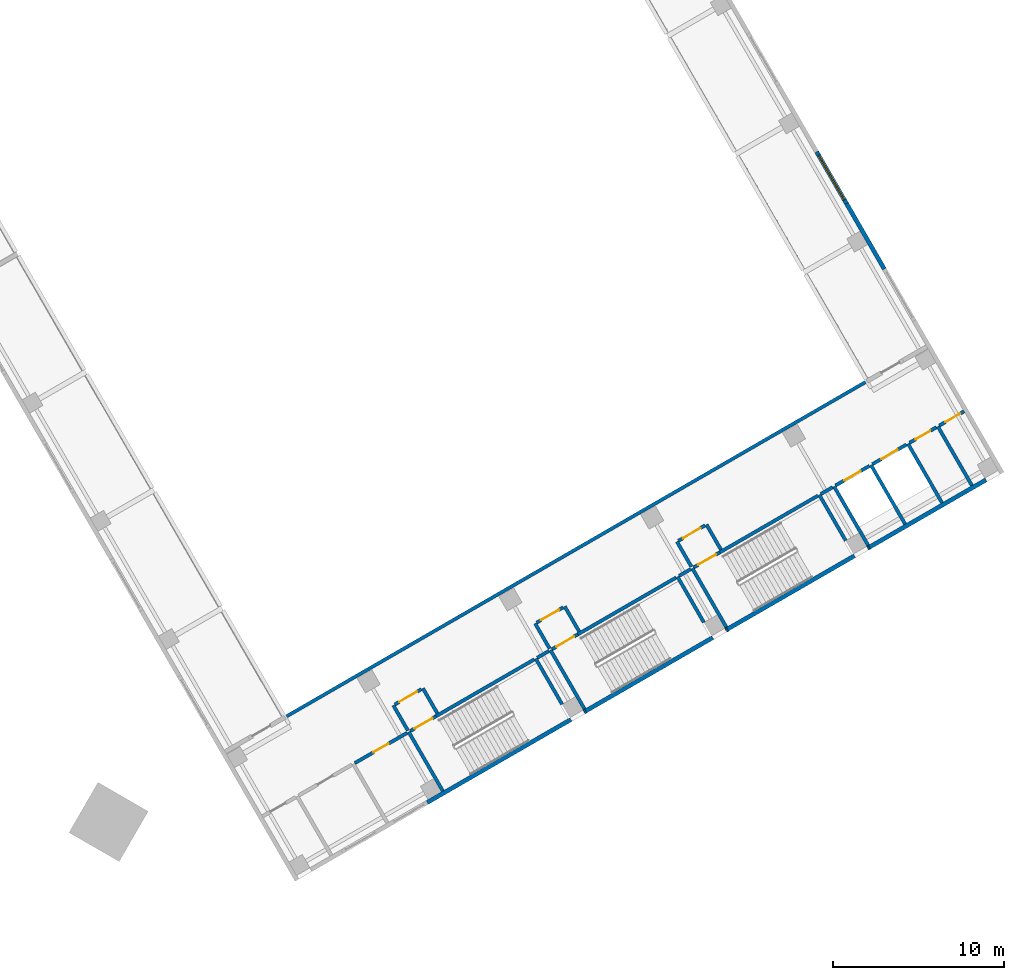
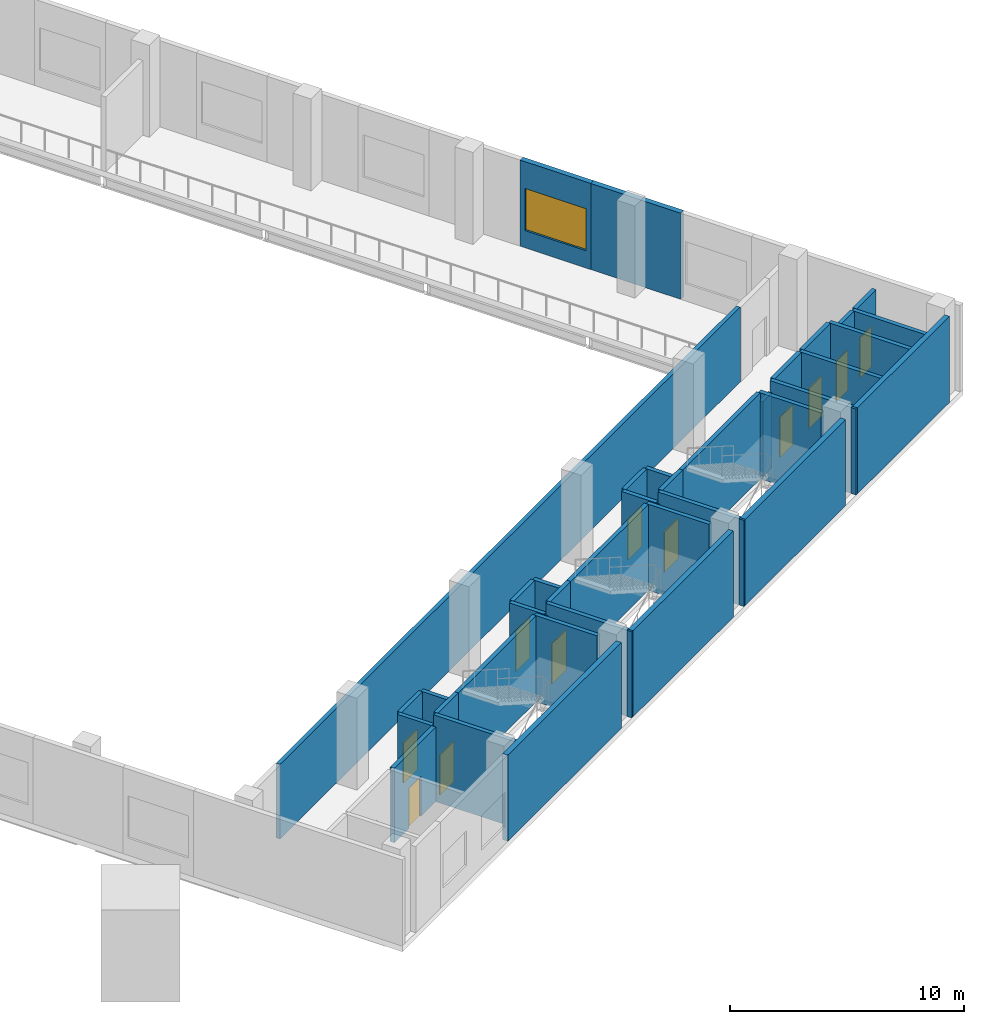
# One storey, part 17 of 28: 43 walls, 11 doors, 1 window, 12 openings.
"""IFC4 building model written with IfcOpenShell, lengths in metres."""

import ifcopenshell
import ifcopenshell.guid

model = None  # the IFC model being written
_history = None  # IfcOwnerHistory: only IFC2X3 demands one
_inside = {}  # id of a spatial element -> (the spatial element, [elements in it])
_under = {}  # id of a project, library or spatial element -> (it, [spatial elements below it])
_declared = {}  # id of a project -> (the project, [libraries it declares])
_typed = {}  # id of a type object -> (the type object, [elements of that type])
_made_of = {}  # id of a material, layer set ... -> (it, [elements and type objects made of it])


def new_model(schema):
    """Start an empty IFC model of exactly this schema.

    Asked for "IFC4X3", IfcOpenShell would pick the latest addendum, in which some entities
    have other attributes; the version numbers below select the first issue.
    IFC2X3 requires an IfcOwnerHistory on every rooted entity: one is made here for all.
    """
    global model, _history
    if schema == "IFC4X3":
        model = ifcopenshell.file(schema_version=(4, 3, 0, 0))
    else:
        model = ifcopenshell.file(schema=schema)
    _inside.clear()
    _under.clear()
    _declared.clear()
    _typed.clear()
    _made_of.clear()
    _history = None
    if model.schema == "IFC2X3":
        org = make("IfcOrganization", Name="unknown")
        user = make(
            "IfcPersonAndOrganization",
            ThePerson=make("IfcPerson", FamilyName="unknown"),
            TheOrganization=org,
        )
        app = make(
            "IfcApplication",
            ApplicationDeveloper=org,
            Version="unknown",
            ApplicationFullName="unknown",
            ApplicationIdentifier="unknown",
        )
        _history = make(
            "IfcOwnerHistory",
            OwningUser=user,
            OwningApplication=app,
            ChangeAction="ADDED",
            CreationDate=0,
        )
    return model


def make(cls, **values):
    """One entity of the class cls with the attributes given. An attribute that is None is left unset."""
    return model.create_entity(
        cls, **{name: value for name, value in values.items() if value is not None}
    )


def rooted(cls, **values):
    """An entity with a GlobalId (a new one), such as an element, a storey or a relation."""
    return make(cls, GlobalId=ifcopenshell.guid.new(), OwnerHistory=_history, **values)


def si_unit(unit_type, name, prefix=None):
    """IfcSIUnit, for example si_unit("LENGTHUNIT", "METRE", prefix="MILLI")."""
    return make("IfcSIUnit", UnitType=unit_type, Prefix=prefix, Name=name)


def assignment(units):
    """IfcUnitAssignment: the units of a project."""
    return None if units is None else make("IfcUnitAssignment", Units=units)


def point(xyz):
    """IfcCartesianPoint."""
    return None if xyz is None else make("IfcCartesianPoint", Coordinates=xyz)


def direction(xyz):
    """IfcDirection."""
    return None if xyz is None else make("IfcDirection", DirectionRatios=xyz)


def frame(location, z_axis=None, x_axis=None):
    """IfcAxis2Placement3D, a coordinate frame: its origin and axes. An axis left out is left unset."""
    return make(
        "IfcAxis2Placement3D",
        Location=point(location),
        Axis=direction(z_axis),
        RefDirection=direction(x_axis),
    )


def frame_2d(location, x_axis=None):
    """IfcAxis2Placement2D, a coordinate frame in the plane: its origin and x axis."""
    return make(
        "IfcAxis2Placement2D", Location=point(location), RefDirection=direction(x_axis)
    )


def origin():
    """The frame at (0, 0, 0) with its axes left unset."""
    return frame((0.0, 0.0, 0.0))


def place(relative_to, where):
    """IfcLocalPlacement: puts the frame where relative to a parent placement (None: the world)."""
    return make(
        "IfcLocalPlacement", PlacementRelTo=relative_to, RelativePlacement=where
    )


def context(
    kind, dimensions, precision=None, world=None, true_north=None, identifier=None
):
    """IfcGeometricRepresentationContext, for example the 3D "Model" context."""
    return make(
        "IfcGeometricRepresentationContext",
        ContextIdentifier=identifier,
        ContextType=kind,
        CoordinateSpaceDimension=dimensions,
        Precision=precision,
        WorldCoordinateSystem=world,
        TrueNorth=true_north,
    )


def subcontext(parent, identifier, kind, view, scale=None):
    """IfcGeometricRepresentationSubContext, for example "Body" below "Model"."""
    return make(
        "IfcGeometricRepresentationSubContext",
        ContextIdentifier=identifier,
        ContextType=kind,
        ParentContext=parent,
        TargetScale=scale,
        TargetView=view,
    )


def project(units=None, contexts=None):
    """IfcProject with its units and contexts."""
    return rooted(
        "IfcProject",
        Name="project",
        RepresentationContexts=contexts,
        UnitsInContext=assignment(units),
    )


def spatial(cls, under=None, at=None, **own):
    """A site, building, storey or space (cls), placed at a placement, below another one or the project."""
    s = rooted(cls, ObjectPlacement=at, **own)
    if under is not None:
        _under.setdefault(under.id(), (under, []))[1].append(s)
    return s


def profile(cls, at=None, kind="AREA", **sizes):
    """A parametric profile (cls). Its sizes go by their IFC names, for example OverallWidth=200.0."""
    return make(cls, ProfileType=kind, Position=at, **sizes)


def rectangle(**sizes):
    """IfcRectangleProfileDef."""
    return profile("IfcRectangleProfileDef", **sizes)


def extrude(swept, where, along, depth):
    """IfcExtrudedAreaSolid: the profile swept, set in the frame where, extruded along a direction by depth."""
    return make(
        "IfcExtrudedAreaSolid",
        SweptArea=swept,
        Position=where,
        ExtrudedDirection=direction(along),
        Depth=depth,
    )


def shape(context_of_items, identifier, shape_type, items):
    """IfcShapeRepresentation: the items that make up one representation, for example the "Body"."""
    return make(
        "IfcShapeRepresentation",
        ContextOfItems=context_of_items,
        RepresentationIdentifier=identifier,
        RepresentationType=shape_type,
        Items=items,
    )


def material(Name=None, Category=None):
    """IfcMaterial."""
    return make("IfcMaterial", Name=Name, Category=Category)


def layer(
    of_material, thickness, ventilated=None, Name=None, Category=None, Priority=None
):
    """IfcMaterialLayer: one layer of a wall or slab, of a material (None: an air gap)."""
    return make(
        "IfcMaterialLayer",
        Material=of_material,
        LayerThickness=thickness,
        IsVentilated=ventilated,
        Name=Name,
        Category=Category,
        Priority=Priority,
    )


def layer_set(layers, Name=None):
    """IfcMaterialLayerSet."""
    return make("IfcMaterialLayerSet", MaterialLayers=layers, LayerSetName=Name)


def made_of(thing, what):
    """Note that an element or type object is made of a material, layer set ...; save() writes the relation."""
    if what is not None:
        _made_of.setdefault(what.id(), (what, []))[1].append(thing)
    return thing


def type_object(cls, material=None, **own):
    """A type object (cls), such as IfcWallType, which elements share."""
    return made_of(rooted(cls, **own), material)


def element(
    cls,
    number,
    at=None,
    inside=None,
    cuts=None,
    type_object=None,
    material=None,
    context=None,
    identifier="Body",
    shape_type=None,
    held_by="IfcProductDefinitionShape",
    body=None,
    shapes=None,
    **own,
):
    """One element of the class cls, such as IfcWall. Its Tag is "e" and its number.

    at: its placement. inside: the storey or other place that contains it. cuts: it is an
    opening in that element (IfcRelVoidsElement). A single representation is given by context,
    identifier, shape_type and body (its items); several are given by shapes. held_by: the class
    of the entity that holds the representations. save() writes the other relations.
    """
    e = rooted(cls, Tag="e%d" % number, ObjectPlacement=at, **own)
    if body is not None:
        shapes = [shape(context, identifier, shape_type, body)]
    if shapes is not None:
        e.Representation = make(held_by, Representations=shapes)
    if inside is not None:
        _inside.setdefault(inside.id(), (inside, []))[1].append(e)
    if cuts is not None:
        rooted(
            "IfcRelVoidsElement", RelatingBuildingElement=cuts, RelatedOpeningElement=e
        )
    if type_object is not None:
        _typed.setdefault(type_object.id(), (type_object, []))[1].append(e)
    return made_of(e, material)


def fill(opening, filler):
    """IfcRelFillsElement: the door or window that sits in an opening."""
    return rooted(
        "IfcRelFillsElement",
        RelatingOpeningElement=opening,
        RelatedBuildingElement=filler,
    )


def aggregate(whole, parts):
    """IfcRelAggregates: a whole, such as a stair, and the parts it consists of."""
    return rooted("IfcRelAggregates", RelatingObject=whole, RelatedObjects=parts)


def save(model, path):
    """Write the relations noted so far, then the file.

    IfcRelAggregates (storeys below a building ...), IfcRelContainedInSpatialStructure (elements
    in a storey), IfcRelDefinesByType, IfcRelAssociatesMaterial and IfcRelDeclares: one each for
    every whole, place, type object, material and project.
    """
    for whole, parts in _under.values():
        aggregate(whole, parts)
    for where, things in _inside.values():
        rooted(
            "IfcRelContainedInSpatialStructure",
            RelatedElements=things,
            RelatingStructure=where,
        )
    for kind, things in _typed.values():
        rooted("IfcRelDefinesByType", RelatedObjects=things, RelatingType=kind)
    for what, things in _made_of.values():
        rooted("IfcRelAssociatesMaterial", RelatedObjects=things, RelatingMaterial=what)
    for by, libraries in _declared.values():
        rooted("IfcRelDeclares", RelatingContext=by, RelatedDefinitions=libraries)
    model.write(path)


model = new_model("IFC4")

# Units and contexts
model_context = context("Model", 3, precision=1e-05, world=origin(), true_north=direction((0.0, 1.0)))
body_context = subcontext(model_context, "Body", "Model", "MODEL_VIEW")
ifc_project = project(units=[si_unit("LENGTHUNIT", "METRE"), si_unit("AREAUNIT", "SQUARE_METRE"), si_unit("VOLUMEUNIT", "CUBIC_METRE"), si_unit("PLANEANGLEUNIT", "RADIAN"), si_unit("MASSUNIT", "GRAM", prefix="KILO")], contexts=[model_context])

# Site, building, storey
site_placement = place(None, origin())
site = spatial("IfcSite", under=ifc_project, at=site_placement, CompositionType="ELEMENT")
building_placement = place(site_placement, origin())
building = spatial("IfcBuilding", under=site, at=building_placement, Name="Mestral Congress Tower", CompositionType="ELEMENT")
storey_placement = place(building_placement, frame((0.0, 0.0, 11.39990234375)))
storey = spatial("IfcBuildingStorey", under=building, at=storey_placement, Name="L02", CompositionType="ELEMENT", Elevation=11.39990234375)

# Wall
ifc_material_1 = material(Name="Precast concrete C40/50 with limestone facing", Category="masonry")
ifc_layer_1 = layer(ifc_material_1, 0.25)
ifc_layer_set_1 = layer_set([ifc_layer_1], Name="Precast concrete C40/50 with limestone facing")
wall_type_1 = type_object("IfcWallType", Name="Podium external wall 250", PredefinedType="SOLIDWALL", material=ifc_layer_set_1)
wall_1_placement = place(storey_placement, frame((74.790283203125, 18.0654296875, 0.0), z_axis=(0.0, 0.0, 1.0), x_axis=(0.499990705068, -0.866030770149, 0.0)))
element("IfcWall", 1, at=wall_1_placement, inside=storey, type_object=wall_type_1, Name="L02 external wall", PredefinedType="SOLIDWALL", context=body_context, shape_type="SweptSolid", body=[
    extrude(rectangle(XDim=4.43798828125, YDim=0.25, at=frame_2d((2.218994140625, 0.0))), origin(), (0.0, 0.0, 1.0), 4.5),
])

# Wall, opening, window
wall_2_placement = place(storey_placement, frame((73.040283203125, 21.0966796875, 0.0), z_axis=(0.0, 0.0, 1.0), x_axis=(0.499980071345, -0.866036909293, 0.0)))
wall_2 = element("IfcWall", 2, at=wall_2_placement, inside=storey, type_object=wall_type_1, Name="L02 external wall", PredefinedType="SOLIDWALL", context=body_context, shape_type="SweptSolid", body=[
    extrude(rectangle(XDim=3.500244140625, YDim=0.25, at=frame_2d((1.75, 0.0))), origin(), (0.0, 0.0, 1.0), 4.5),
])
opening_1_placement = place(wall_2_placement, frame((0.25, 0.0, 0.89990234375)))
opening_1 = element("IfcOpeningElement", 3, at=opening_1_placement, cuts=wall_2, Name="Opening PW-3000x2200", PredefinedType="OPENING", context=body_context, shape_type="SweptSolid", body=[
    extrude(rectangle(XDim=3.0, YDim=2.199951171875, at=frame_2d((1.5, 1.10009765625))), frame((0.0, 0.135009765625, 0.0), z_axis=(0.0, -1.0, 0.0), x_axis=(1.0, 0.0, 0.0)), (0.0, 0.0, 1.0), 0.27001953125),
])
ifc_material_2 = material(Name="Aluminium frame, clear double glazing", Category="aluminium")
window_type = type_object("IfcWindowType", Name="Podium window 3000x2200 sill 900", PartitioningType="SINGLE_PANEL", PredefinedType="WINDOW", material=ifc_material_2)
window_placement = place(opening_1_placement, origin())
window = element("IfcWindow", 4, at=window_placement, inside=storey, type_object=window_type, Name="Window", OverallHeight=2.199951171875, OverallWidth=3.0, PartitioningType="SINGLE_PANEL", PredefinedType="WINDOW", context=body_context, shape_type="SweptSolid", body=[
    extrude(rectangle(XDim=3.0, YDim=2.199951171875, at=frame_2d((1.5, 1.10009765625))), frame((0.0, 0.030029296875, 0.0), z_axis=(0.0, -1.0, 0.0), x_axis=(1.0, 0.0, 0.0)), (0.0, 0.0, 1.0), 0.06005859375),
])
fill(opening_1, window)

# Walls
wall_3_placement = place(storey_placement, frame((58.6298828125, -12.193603515625, 0.0), z_axis=(0.0, 0.0, 1.0), x_axis=(-0.866023797515, -0.500002782129, 0.0)))
element("IfcWall", 5, at=wall_3_placement, inside=storey, type_object=wall_type_1, Name="L02 external wall", PredefinedType="SOLIDWALL", context=body_context, shape_type="SweptSolid", body=[
    extrude(rectangle(XDim=9.72509765625, YDim=0.25, at=frame_2d((4.862548828125, 0.0))), origin(), (0.0, 0.0, 1.0), 4.5),
])
wall_4_placement = place(storey_placement, frame((66.943603515625, -7.393798828125, 0.0), z_axis=(0.0, 0.0, 1.0), x_axis=(-0.866033360935, -0.499986217557, 0.0)))
element("IfcWall", 6, at=wall_4_placement, inside=storey, type_object=wall_type_1, Name="L02 external wall", PredefinedType="SOLIDWALL", context=body_context, shape_type="SweptSolid", body=[
    extrude(rectangle(XDim=8.599853515625, YDim=0.25, at=frame_2d((4.2998046875, 0.0))), origin(), (0.0, 0.0, 1.0), 4.5),
])
wall_5_placement = place(storey_placement, frame((75.257568359375, -2.59375, 0.0), z_axis=(0.0, 0.0, 1.0), x_axis=(-0.866028165386, -0.499995216735, 0.0)))
element("IfcWall", 7, at=wall_5_placement, inside=storey, type_object=wall_type_1, Name="L02 external wall", PredefinedType="SOLIDWALL", context=body_context, shape_type="SweptSolid", body=[
    extrude(rectangle(XDim=8.60009765625, YDim=0.25, at=frame_2d((4.300048828125, 0.0))), origin(), (0.0, 0.0, 1.0), 4.5),
])
wall_6_placement = place(storey_placement, frame((82.965087890625, 1.856201171875, 0.0), z_axis=(0.0, 0.0, 1.0), x_axis=(-0.866026562566, -0.499997992926, 0.0)))
element("IfcWall", 8, at=wall_6_placement, inside=storey, type_object=wall_type_1, Name="L02 external wall", PredefinedType="SOLIDWALL", context=body_context, shape_type="SweptSolid", body=[
    extrude(rectangle(XDim=7.89990234375, YDim=0.25, at=frame_2d((3.949951171875, 0.0))), origin(), (0.0, 0.0, 1.0), 4.5),
])
wall_7_placement = place(storey_placement, frame((59.495849609375, -11.693603515625, 0.0), z_axis=(0.0, 0.0, 1.0), x_axis=(-0.865982457891, -0.500074377092, 0.0)))
element("IfcWall", 9, at=wall_7_placement, inside=storey, type_object=wall_type_1, Name="L02 external wall", PredefinedType="SOLIDWALL", context=body_context, shape_type="SweptSolid", body=[
    extrude(rectangle(XDim=0.10009765625, YDim=0.25, at=frame_2d((0.050048828125, 0.0))), origin(), (0.0, 0.0, 1.0), 4.5),
])
wall_8_placement = place(storey_placement, frame((67.8095703125, -6.893798828125, 0.0), z_axis=(0.0, 0.0, 1.0), x_axis=(-0.867038199201, -0.4982416694, 0.0)))
element("IfcWall", 10, at=wall_8_placement, inside=storey, type_object=wall_type_1, Name="L02 external wall", PredefinedType="SOLIDWALL", context=body_context, shape_type="SweptSolid", body=[
    extrude(rectangle(XDim=0.099853515625, YDim=0.25, at=frame_2d((0.0498046875, 0.0))), origin(), (0.0, 0.0, 1.0), 4.5),
])
wall_9_placement = place(storey_placement, frame((76.12353515625, -2.09375, 0.0), z_axis=(0.0, 0.0, 1.0), x_axis=(-0.865982457891, -0.500074377092, 0.0)))
element("IfcWall", 11, at=wall_9_placement, inside=storey, type_object=wall_type_1, Name="L02 external wall", PredefinedType="SOLIDWALL", context=body_context, shape_type="SweptSolid", body=[
    extrude(rectangle(XDim=0.10009765625, YDim=0.25, at=frame_2d((0.050048828125, 0.0))), origin(), (0.0, 0.0, 1.0), 4.5),
])
ifc_material_3 = material(Name="Masonry block wall", Category="masonry")
ifc_layer_2 = layer(ifc_material_3, 0.199951171875)
ifc_layer_set_2 = layer_set([ifc_layer_2], Name="Masonry block wall")
wall_type_2 = type_object("IfcWallType", Name="Podium stair enclosure wall 200 EI 120 load-bearing", PredefinedType="SOLIDWALL", material=ifc_layer_set_2)
wall_10_placement = place(storey_placement, frame((51.119384765625, -16.385498046875, 0.0), z_axis=(0.0, 0.0, 1.0), x_axis=(-0.49999894854, 0.866026010844, 0.0)))
element("IfcWall", 12, at=wall_10_placement, inside=storey, type_object=wall_type_2, Name="L02 partition", PredefinedType="SOLIDWALL", context=body_context, shape_type="SweptSolid", body=[
    extrude(rectangle(XDim=4.0, YDim=0.199951171875, at=frame_2d((2.0, 0.0))), origin(), (0.0, 0.0, 1.0), 4.5),
])
wall_11_placement = place(storey_placement, frame((58.1171875, -11.30615234375, 0.0), z_axis=(0.0, 0.0, 1.0), x_axis=(-0.499933790963, 0.866063626216, 0.0)))
element("IfcWall", 13, at=wall_11_placement, inside=storey, type_object=wall_type_2, Name="L02 partition", PredefinedType="SOLIDWALL", context=body_context, shape_type="SweptSolid", body=[
    extrude(rectangle(XDim=3.10009765625, YDim=0.199951171875, at=frame_2d((1.550048828125, 0.0))), origin(), (0.0, 0.0, 1.0), 4.5),
])
wall_12_placement = place(storey_placement, frame((59.433349609375, -11.58544921875, 0.0), z_axis=(0.0, 0.0, 1.0), x_axis=(-0.49999894854, 0.866026010844, 0.0)))
element("IfcWall", 14, at=wall_12_placement, inside=storey, type_object=wall_type_2, Name="L02 partition", PredefinedType="SOLIDWALL", context=body_context, shape_type="SweptSolid", body=[
    extrude(rectangle(XDim=4.0, YDim=0.199951171875, at=frame_2d((2.0, 0.0))), origin(), (0.0, 0.0, 1.0), 4.5),
])
wall_13_placement = place(storey_placement, frame((66.43115234375, -6.506103515625, 0.0), z_axis=(0.0, 0.0, 1.0), x_axis=(-0.49999285859, 0.86602952684, 0.0)))
element("IfcWall", 15, at=wall_13_placement, inside=storey, type_object=wall_type_2, Name="L02 partition", PredefinedType="SOLIDWALL", context=body_context, shape_type="SweptSolid", body=[
    extrude(rectangle(XDim=3.10009765625, YDim=0.199951171875, at=frame_2d((1.550048828125, 0.0))), origin(), (0.0, 0.0, 1.0), 4.5),
])
wall_14_placement = place(storey_placement, frame((67.7470703125, -6.785400390625, 0.0), z_axis=(0.0, 0.0, 1.0), x_axis=(-0.49999894854, 0.866026010844, 0.0)))
element("IfcWall", 16, at=wall_14_placement, inside=storey, type_object=wall_type_2, Name="L02 partition", PredefinedType="SOLIDWALL", context=body_context, shape_type="SweptSolid", body=[
    extrude(rectangle(XDim=4.0, YDim=0.199951171875, at=frame_2d((2.0, 0.0))), origin(), (0.0, 0.0, 1.0), 4.5),
])
wall_15_placement = place(storey_placement, frame((74.7451171875, -1.7060546875, 0.0), z_axis=(0.0, 0.0, 1.0), x_axis=(-0.500026960575, 0.86600983753, 0.0)))
element("IfcWall", 17, at=wall_15_placement, inside=storey, type_object=wall_type_2, Name="L02 partition", PredefinedType="SOLIDWALL", context=body_context, shape_type="SweptSolid", body=[
    extrude(rectangle(XDim=3.099853515625, YDim=0.199951171875, at=frame_2d((1.5498046875, 0.0))), origin(), (0.0, 0.0, 1.0), 4.5),
])

# Wall, opening, door
wall_16_placement = place(storey_placement, frame((50.7216796875, -11.996337890625, 0.0), z_axis=(0.0, 0.0, 1.0), x_axis=(-0.866036909293, -0.499980071345, 0.0)))
wall_16 = element("IfcWall", 18, at=wall_16_placement, inside=storey, type_object=wall_type_2, Name="L02 partition", PredefinedType="SOLIDWALL", context=body_context, shape_type="SweptSolid", body=[
    extrude(rectangle(XDim=1.75, YDim=0.199951171875, at=frame_2d((0.875, 0.0))), origin(), (0.0, 0.0, 1.0), 4.5),
])
opening_2_placement = place(wall_16_placement, frame((0.25, 0.0, 0.0)))
opening_2 = element("IfcOpeningElement", 19, at=opening_2_placement, cuts=wall_16, Name="Opening P02-001", PredefinedType="OPENING", context=body_context, shape_type="SweptSolid", body=[
    extrude(rectangle(XDim=1.199951171875, YDim=2.10009765625, at=frame_2d((0.60009765625, 1.050048828125))), frame((0.0, 0.10986328125, 0.0), z_axis=(0.0, -1.0, 0.0), x_axis=(1.0, 0.0, 0.0)), (0.0, 0.0, 1.0), 0.219970703125),
])
ifc_material_4 = material(Name="Fire-rated steel door set", Category="steel")
door_type_1 = type_object("IfcDoorType", Name="Podium stair door 1200x2100 EI2 30-C5", OperationType="SINGLE_SWING_LEFT", PredefinedType="DOOR", material=ifc_material_4)
door_1_placement = place(opening_2_placement, origin())
door_1 = element("IfcDoor", 20, at=door_1_placement, inside=storey, type_object=door_type_1, Name="Door P02-001", OperationType="SINGLE_SWING_LEFT", OverallHeight=2.10009765625, OverallWidth=1.199951171875, PredefinedType="DOOR", context=body_context, shape_type="SweptSolid", body=[
    extrude(rectangle(XDim=1.199951171875, YDim=2.10009765625, at=frame_2d((0.60009765625, 1.050048828125))), frame((0.0, 0.02490234375, 0.0), z_axis=(0.0, -1.0, 0.0), x_axis=(1.0, 0.0, 0.0)), (0.0, 0.0, 1.0), 0.050048828125),
])
fill(opening_2, door_1)

# Wall
wall_17_placement = place(storey_placement, frame((50.7216796875, -11.996337890625, 0.0), z_axis=(0.0, 0.0, 1.0), x_axis=(0.866027239912, 0.49999681972, 0.0)))
element("IfcWall", 21, at=wall_17_placement, inside=storey, type_object=wall_type_2, Name="L02 partition", PredefinedType="SOLIDWALL", context=body_context, shape_type="SweptSolid", body=[
    extrude(rectangle(XDim=6.64990234375, YDim=0.199951171875, at=frame_2d((3.324951171875, 0.0))), origin(), (0.0, 0.0, 1.0), 4.5),
])

# Wall, opening, door
wall_18_placement = place(storey_placement, frame((59.035400390625, -7.1962890625, 0.0), z_axis=(0.0, 0.0, 1.0), x_axis=(-0.866002029911, -0.500040482552, 0.0)))
wall_18 = element("IfcWall", 22, at=wall_18_placement, inside=storey, type_object=wall_type_2, Name="L02 partition", PredefinedType="SOLIDWALL", context=body_context, shape_type="SweptSolid", body=[
    extrude(rectangle(XDim=1.749755859375, YDim=0.199951171875, at=frame_2d((0.875, 0.0))), origin(), (0.0, 0.0, 1.0), 4.5),
])
opening_3_placement = place(wall_18_placement, frame((0.25, 0.0, 0.0)))
opening_3 = element("IfcOpeningElement", 23, at=opening_3_placement, cuts=wall_18, Name="Opening P02-002", PredefinedType="OPENING", context=body_context, shape_type="SweptSolid", body=[
    extrude(rectangle(XDim=1.199951171875, YDim=2.10009765625, at=frame_2d((0.60009765625, 1.050048828125))), frame((0.0, 0.10986328125, 0.0), z_axis=(0.0, -1.0, 0.0), x_axis=(1.0, 0.0, 0.0)), (0.0, 0.0, 1.0), 0.219970703125),
])
door_2_placement = place(opening_3_placement, origin())
door_2 = element("IfcDoor", 24, at=door_2_placement, inside=storey, type_object=door_type_1, Name="Door P02-002", OperationType="SINGLE_SWING_LEFT", OverallHeight=2.10009765625, OverallWidth=1.199951171875, PredefinedType="DOOR", context=body_context, shape_type="SweptSolid", body=[
    extrude(rectangle(XDim=1.199951171875, YDim=2.10009765625, at=frame_2d((0.60009765625, 1.050048828125))), frame((0.0, 0.02490234375, 0.0), z_axis=(0.0, -1.0, 0.0), x_axis=(1.0, 0.0, 0.0)), (0.0, 0.0, 1.0), 0.050048828125),
])
fill(opening_3, door_2)

# Wall
wall_19_placement = place(storey_placement, frame((59.035400390625, -7.1962890625, 0.0), z_axis=(0.0, 0.0, 1.0), x_axis=(0.866027239912, 0.49999681972, 0.0)))
element("IfcWall", 25, at=wall_19_placement, inside=storey, type_object=wall_type_2, Name="L02 partition", PredefinedType="SOLIDWALL", context=body_context, shape_type="SweptSolid", body=[
    extrude(rectangle(XDim=6.64990234375, YDim=0.199951171875, at=frame_2d((3.324951171875, 0.0))), origin(), (0.0, 0.0, 1.0), 4.5),
])

# Wall, opening, door
wall_20_placement = place(storey_placement, frame((67.349365234375, -2.396484375, 0.0), z_axis=(0.0, 0.0, 1.0), x_axis=(-0.866036909293, -0.499980071345, 0.0)))
wall_20 = element("IfcWall", 26, at=wall_20_placement, inside=storey, type_object=wall_type_2, Name="L02 partition", PredefinedType="SOLIDWALL", context=body_context, shape_type="SweptSolid", body=[
    extrude(rectangle(XDim=1.75, YDim=0.199951171875, at=frame_2d((0.875, 0.0))), origin(), (0.0, 0.0, 1.0), 4.5),
])
opening_4_placement = place(wall_20_placement, frame((0.25, 0.0, 0.0)))
opening_4 = element("IfcOpeningElement", 27, at=opening_4_placement, cuts=wall_20, Name="Opening P02-003", PredefinedType="OPENING", context=body_context, shape_type="SweptSolid", body=[
    extrude(rectangle(XDim=1.199951171875, YDim=2.10009765625, at=frame_2d((0.60009765625, 1.050048828125))), frame((0.0, 0.10986328125, 0.0), z_axis=(0.0, -1.0, 0.0), x_axis=(1.0, 0.0, 0.0)), (0.0, 0.0, 1.0), 0.219970703125),
])
door_3_placement = place(opening_4_placement, origin())
door_3 = element("IfcDoor", 28, at=door_3_placement, inside=storey, type_object=door_type_1, Name="Door P02-003", OperationType="SINGLE_SWING_LEFT", OverallHeight=2.10009765625, OverallWidth=1.199951171875, PredefinedType="DOOR", context=body_context, shape_type="SweptSolid", body=[
    extrude(rectangle(XDim=1.199951171875, YDim=2.10009765625, at=frame_2d((0.60009765625, 1.050048828125))), frame((0.0, 0.02490234375, 0.0), z_axis=(0.0, -1.0, 0.0), x_axis=(1.0, 0.0, 0.0)), (0.0, 0.0, 1.0), 0.050048828125),
])
fill(opening_4, door_3)

# Walls
wall_21_placement = place(storey_placement, frame((67.349365234375, -2.396484375, 0.0), z_axis=(0.0, 0.0, 1.0), x_axis=(0.86601134256, 0.500024353964, 0.0)))
element("IfcWall", 29, at=wall_21_placement, inside=storey, type_object=wall_type_2, Name="L02 partition", PredefinedType="SOLIDWALL", context=body_context, shape_type="SweptSolid", body=[
    extrude(rectangle(XDim=6.650146484375, YDim=0.199951171875, at=frame_2d((3.3251953125, 0.0))), origin(), (0.0, 0.0, 1.0), 4.5),
])
for number, where, z_axis, x_axis, name in (
    (30, (76.06103515625, -1.985595703125, 0.0), (0.0, 0.0, 1.0), (-0.49999894854, 0.866026010844, 0.0), "L02 partition"),
    (31, (78.22607421875, -0.735595703125, 0.0), (0.0, 0.0, 1.0), (-0.49999894854, 0.866026010844, 0.0), "L02 partition"),
    (32, (80.39111328125, 0.514404296875, 0.0), (0.0, 0.0, 1.0), (-0.49999894854, 0.866026010844, 0.0), "L02 partition"),
):
    element("IfcWall", number, at=place(storey_placement, frame(where, z_axis=z_axis, x_axis=x_axis)), inside=storey, type_object=wall_type_2, Name=name, PredefinedType="SOLIDWALL", context=body_context, shape_type="SweptSolid", body=[
        extrude(rectangle(XDim=4.0, YDim=0.199951171875, at=frame_2d((2.0, 0.0))), origin(), (0.0, 0.0, 1.0), 4.5),
    ])

# Wall, opening, door
wall_22_placement = place(storey_placement, frame((76.139404296875, 2.6787109375, 0.0), z_axis=(0.0, 0.0, 1.0), x_axis=(-0.865980515519, -0.500077740698, 0.0)))
wall_22 = element("IfcWall", 33, at=wall_22_placement, inside=storey, type_object=wall_type_2, Name="L02 partition", PredefinedType="SOLIDWALL", context=body_context, shape_type="SweptSolid", body=[
    extrude(rectangle(XDim=2.300048828125, YDim=0.199951171875, at=frame_2d((1.14990234375, 0.0))), origin(), (0.0, 0.0, 1.0), 4.5),
])
opening_5_placement = place(wall_22_placement, frame((0.60009765625, 0.0, 0.0)))
opening_5 = element("IfcOpeningElement", 34, at=opening_5_placement, cuts=wall_22, Name="Opening P02-007", PredefinedType="OPENING", context=body_context, shape_type="SweptSolid", body=[
    extrude(rectangle(XDim=1.10009765625, YDim=2.10009765625, at=frame_2d((0.550048828125, 1.050048828125))), frame((0.0, 0.10986328125, 0.0), z_axis=(0.0, -1.0, 0.0), x_axis=(1.0, 0.0, 0.0)), (0.0, 0.0, 1.0), 0.219970703125),
])
door_type_2 = type_object("IfcDoorType", Name="Podium lift landing door 1100x2100 EI2 60-C5", OperationType="DOUBLE_DOOR_SLIDING", PredefinedType="DOOR", material=ifc_material_4)
door_4_placement = place(opening_5_placement, origin())
door_4 = element("IfcDoor", 35, at=door_4_placement, inside=storey, type_object=door_type_2, Name="Door P02-007", OperationType="DOUBLE_DOOR_SLIDING", OverallHeight=2.10009765625, OverallWidth=1.10009765625, PredefinedType="DOOR", context=body_context, shape_type="SweptSolid", body=[
    extrude(rectangle(XDim=1.10009765625, YDim=2.10009765625, at=frame_2d((0.550048828125, 1.050048828125))), frame((0.0, 0.02490234375, 0.0), z_axis=(0.0, -1.0, 0.0), x_axis=(1.0, 0.0, 0.0)), (0.0, 0.0, 1.0), 0.050048828125),
])
fill(opening_5, door_4)

wall_23_placement = place(storey_placement, frame((78.304443359375, 3.9287109375, 0.0), z_axis=(0.0, 0.0, 1.0), x_axis=(-0.865980515519, -0.500077740698, 0.0)))
wall_23 = element("IfcWall", 36, at=wall_23_placement, inside=storey, type_object=wall_type_2, Name="L02 partition", PredefinedType="SOLIDWALL", context=body_context, shape_type="SweptSolid", body=[
    extrude(rectangle(XDim=2.300048828125, YDim=0.199951171875, at=frame_2d((1.14990234375, 0.0))), origin(), (0.0, 0.0, 1.0), 4.5),
])
opening_6_placement = place(wall_23_placement, frame((0.60009765625, 0.0, 0.0)))
opening_6 = element("IfcOpeningElement", 37, at=opening_6_placement, cuts=wall_23, Name="Opening P02-008", PredefinedType="OPENING", context=body_context, shape_type="SweptSolid", body=[
    extrude(rectangle(XDim=1.10009765625, YDim=2.10009765625, at=frame_2d((0.550048828125, 1.050048828125))), frame((0.0, 0.10986328125, 0.0), z_axis=(0.0, -1.0, 0.0), x_axis=(1.0, 0.0, 0.0)), (0.0, 0.0, 1.0), 0.219970703125),
])
door_5_placement = place(opening_6_placement, origin())
door_5 = element("IfcDoor", 38, at=door_5_placement, inside=storey, type_object=door_type_2, Name="Door P02-008", OperationType="DOUBLE_DOOR_SLIDING", OverallHeight=2.10009765625, OverallWidth=1.10009765625, PredefinedType="DOOR", context=body_context, shape_type="SweptSolid", body=[
    extrude(rectangle(XDim=1.10009765625, YDim=2.10009765625, at=frame_2d((0.550048828125, 1.050048828125))), frame((0.0, 0.02490234375, 0.0), z_axis=(0.0, -1.0, 0.0), x_axis=(1.0, 0.0, 0.0)), (0.0, 0.0, 1.0), 0.050048828125),
])
fill(opening_6, door_5)

# Walls
ifc_material_5 = material(Name="Fire-rated board partition")
ifc_layer_3 = layer(ifc_material_5, 0.199951171875)
ifc_layer_set_3 = layer_set([ifc_layer_3], Name="Fire-rated board partition")
wall_type_3 = type_object("IfcWallType", Name="Podium vestibule wall 200 EI 120", PredefinedType="PARTITIONING", material=ifc_layer_set_3)
for number, where, z_axis, x_axis, name in (
    (39, (49.069580078125, -12.834716796875, 0.0), (0.0, 0.0, 1.0), (-0.500062241894, 0.865989465428, 0.0), "L02 partition"),
    (40, (50.801513671875, -11.834716796875, 0.0), (0.0, 0.0, 1.0), (-0.500062241894, 0.865989465428, 0.0), "L02 partition"),
):
    element("IfcWall", number, at=place(storey_placement, frame(where, z_axis=z_axis, x_axis=x_axis)), inside=storey, type_object=wall_type_3, Name=name, PredefinedType="PARTITIONING", context=body_context, shape_type="SweptSolid", body=[
        extrude(rectangle(XDim=1.699951171875, YDim=0.199951171875, at=frame_2d((0.85009765625, 0.0))), origin(), (0.0, 0.0, 1.0), 3.900146484375),
    ])
for number, where, z_axis, x_axis, name in (
    (41, (57.38330078125, -8.034912109375, 0.0), (0.0, 0.0, 1.0), (-0.500000056704, 0.866025371046, 0.0), "L02 partition"),
    (42, (59.115478515625, -7.034912109375, 0.0), (0.0, 0.0, 1.0), (-0.500000056704, 0.866025371046, 0.0), "L02 partition"),
):
    element("IfcWall", number, at=place(storey_placement, frame(where, z_axis=z_axis, x_axis=x_axis)), inside=storey, type_object=wall_type_3, Name=name, PredefinedType="PARTITIONING", context=body_context, shape_type="SweptSolid", body=[
        extrude(rectangle(XDim=1.7001953125, YDim=0.199951171875, at=frame_2d((0.85009765625, 0.0))), origin(), (0.0, 0.0, 1.0), 3.900146484375),
    ])
wall_24_placement = place(storey_placement, frame((65.697021484375, -3.23486328125, 0.0), z_axis=(0.0, 0.0, 1.0), x_axis=(-0.499892348375, 0.866087547558, 0.0)))
element("IfcWall", 43, at=wall_24_placement, inside=storey, type_object=wall_type_3, Name="L02 partition", PredefinedType="PARTITIONING", context=body_context, shape_type="SweptSolid", body=[
    extrude(rectangle(XDim=1.699951171875, YDim=0.199951171875, at=frame_2d((0.85009765625, 0.0))), origin(), (0.0, 0.0, 1.0), 3.900146484375),
])
wall_25_placement = place(storey_placement, frame((67.42919921875, -2.23486328125, 0.0), z_axis=(0.0, 0.0, 1.0), x_axis=(-0.500000056704, 0.866025371046, 0.0)))
element("IfcWall", 44, at=wall_25_placement, inside=storey, type_object=wall_type_3, Name="L02 partition", PredefinedType="PARTITIONING", context=body_context, shape_type="SweptSolid", body=[
    extrude(rectangle(XDim=1.7001953125, YDim=0.199951171875, at=frame_2d((0.85009765625, 0.0))), origin(), (0.0, 0.0, 1.0), 3.900146484375),
])

# Wall, opening, door
wall_26_placement = place(storey_placement, frame((49.864990234375, -10.41259765625, 0.0), z_axis=(0.0, 0.0, 1.0), x_axis=(-0.866047807691, -0.499961193289, 0.0)))
wall_26 = element("IfcWall", 45, at=wall_26_placement, inside=storey, type_object=wall_type_3, Name="L02 partition", PredefinedType="PARTITIONING", context=body_context, shape_type="SweptSolid", body=[
    extrude(rectangle(XDim=1.800048828125, YDim=0.199951171875, at=frame_2d((0.89990234375, 0.0))), origin(), (0.0, 0.0, 1.0), 3.900146484375),
])
opening_7_placement = place(wall_26_placement, frame((0.300048828125, 0.0, 0.0)))
opening_7 = element("IfcOpeningElement", 46, at=opening_7_placement, cuts=wall_26, Name="Opening P02-011", PredefinedType="OPENING", context=body_context, shape_type="SweptSolid", body=[
    extrude(rectangle(XDim=1.199951171875, YDim=2.10009765625, at=frame_2d((0.60009765625, 1.050048828125))), frame((0.0, 0.10986328125, 0.0), z_axis=(0.0, -1.0, 0.0), x_axis=(1.0, 0.0, 0.0)), (0.0, 0.0, 1.0), 0.219970703125),
])
door_type_3 = type_object("IfcDoorType", Name="Podium vestibule door 1200x2100 EI2 30-C5", OperationType="SINGLE_SWING_LEFT", PredefinedType="DOOR", material=ifc_material_4)
door_6_placement = place(opening_7_placement, origin())
door_6 = element("IfcDoor", 47, at=door_6_placement, inside=storey, type_object=door_type_3, Name="Door P02-011", OperationType="SINGLE_SWING_LEFT", OverallHeight=2.10009765625, OverallWidth=1.199951171875, PredefinedType="DOOR", context=body_context, shape_type="SweptSolid", body=[
    extrude(rectangle(XDim=1.199951171875, YDim=2.10009765625, at=frame_2d((0.60009765625, 1.050048828125))), frame((0.0, 0.02490234375, 0.0), z_axis=(0.0, -1.0, 0.0), x_axis=(1.0, 0.0, 0.0)), (0.0, 0.0, 1.0), 0.050048828125),
])
fill(opening_7, door_6)

wall_27_placement = place(storey_placement, frame((58.1787109375, -5.612548828125, 0.0), z_axis=(0.0, 0.0, 1.0), x_axis=(-0.866047807691, -0.499961193289, 0.0)))
wall_27 = element("IfcWall", 48, at=wall_27_placement, inside=storey, type_object=wall_type_3, Name="L02 partition", PredefinedType="PARTITIONING", context=body_context, shape_type="SweptSolid", body=[
    extrude(rectangle(XDim=1.800048828125, YDim=0.199951171875, at=frame_2d((0.89990234375, 0.0))), origin(), (0.0, 0.0, 1.0), 3.900146484375),
])
opening_8_placement = place(wall_27_placement, frame((0.300048828125, 0.0, 0.0)))
opening_8 = element("IfcOpeningElement", 49, at=opening_8_placement, cuts=wall_27, Name="Opening P02-012", PredefinedType="OPENING", context=body_context, shape_type="SweptSolid", body=[
    extrude(rectangle(XDim=1.199951171875, YDim=2.10009765625, at=frame_2d((0.60009765625, 1.050048828125))), frame((0.0, 0.10986328125, 0.0), z_axis=(0.0, -1.0, 0.0), x_axis=(1.0, 0.0, 0.0)), (0.0, 0.0, 1.0), 0.219970703125),
])
door_7_placement = place(opening_8_placement, origin())
door_7 = element("IfcDoor", 50, at=door_7_placement, inside=storey, type_object=door_type_3, Name="Door P02-012", OperationType="SINGLE_SWING_LEFT", OverallHeight=2.10009765625, OverallWidth=1.199951171875, PredefinedType="DOOR", context=body_context, shape_type="SweptSolid", body=[
    extrude(rectangle(XDim=1.199951171875, YDim=2.10009765625, at=frame_2d((0.60009765625, 1.050048828125))), frame((0.0, 0.02490234375, 0.0), z_axis=(0.0, -1.0, 0.0), x_axis=(1.0, 0.0, 0.0)), (0.0, 0.0, 1.0), 0.050048828125),
])
fill(opening_8, door_7)

wall_28_placement = place(storey_placement, frame((66.49267578125, -0.8125, 0.0), z_axis=(0.0, 0.0, 1.0), x_axis=(-0.866081705922, -0.499902469156, 0.0)))
wall_28 = element("IfcWall", 51, at=wall_28_placement, inside=storey, type_object=wall_type_3, Name="L02 partition", PredefinedType="PARTITIONING", context=body_context, shape_type="SweptSolid", body=[
    extrude(rectangle(XDim=1.800048828125, YDim=0.199951171875, at=frame_2d((0.89990234375, 0.0))), origin(), (0.0, 0.0, 1.0), 3.900146484375),
])
opening_9_placement = place(wall_28_placement, frame((0.300048828125, 0.0, 0.0)))
opening_9 = element("IfcOpeningElement", 52, at=opening_9_placement, cuts=wall_28, Name="Opening P02-013", PredefinedType="OPENING", context=body_context, shape_type="SweptSolid", body=[
    extrude(rectangle(XDim=1.199951171875, YDim=2.10009765625, at=frame_2d((0.60009765625, 1.050048828125))), frame((0.0, 0.10986328125, 0.0), z_axis=(0.0, -1.0, 0.0), x_axis=(1.0, 0.0, 0.0)), (0.0, 0.0, 1.0), 0.219970703125),
])
door_8_placement = place(opening_9_placement, origin())
door_8 = element("IfcDoor", 53, at=door_8_placement, inside=storey, type_object=door_type_3, Name="Door P02-013", OperationType="SINGLE_SWING_LEFT", OverallHeight=2.10009765625, OverallWidth=1.199951171875, PredefinedType="DOOR", context=body_context, shape_type="SweptSolid", body=[
    extrude(rectangle(XDim=1.199951171875, YDim=2.10009765625, at=frame_2d((0.60009765625, 1.050048828125))), frame((0.0, 0.02490234375, 0.0), z_axis=(0.0, -1.0, 0.0), x_axis=(1.0, 0.0, 0.0)), (0.0, 0.0, 1.0), 0.050048828125),
])
fill(opening_9, door_8)

# Wall
wall_29_placement = place(storey_placement, frame((82.144775390625, 1.527099609375, 0.0), z_axis=(0.0, 0.0, 1.0), x_axis=(-0.49999894854, 0.866026010844, 0.0)))
element("IfcWall", 54, at=wall_29_placement, inside=storey, type_object=wall_type_3, Name="L02 partition", PredefinedType="PARTITIONING", context=body_context, shape_type="SweptSolid", body=[
    extrude(rectangle(XDim=4.0, YDim=0.199951171875, at=frame_2d((2.0, 0.0))), origin(), (0.0, 0.0, 1.0), 3.900146484375),
])

# Wall, opening, door
wall_30_placement = place(storey_placement, frame((80.05810546875, 4.941162109375, 0.0), z_axis=(0.0, 0.0, 1.0), x_axis=(-0.865978377894, -0.500081442387, 0.0)))
wall_30 = element("IfcWall", 55, at=wall_30_placement, inside=storey, type_object=wall_type_3, Name="L02 partition", PredefinedType="PARTITIONING", context=body_context, shape_type="SweptSolid", body=[
    extrude(rectangle(XDim=1.824951171875, YDim=0.199951171875, at=frame_2d((0.91259765625, 0.0))), origin(), (0.0, 0.0, 1.0), 3.900146484375),
])
opening_10_placement = place(wall_30_placement, frame((0.41259765625, 0.0, 0.0)))
opening_10 = element("IfcOpeningElement", 56, at=opening_10_placement, cuts=wall_30, Name="Opening P02-022", PredefinedType="OPENING", context=body_context, shape_type="SweptSolid", body=[
    extrude(rectangle(XDim=1.0, YDim=2.10009765625, at=frame_2d((0.5, 1.050048828125))), frame((0.0, 0.10986328125, 0.0), z_axis=(0.0, -1.0, 0.0), x_axis=(1.0, 0.0, 0.0)), (0.0, 0.0, 1.0), 0.219970703125),
])
door_type_4 = type_object("IfcDoorType", Name="Podium room door 1000x2100 EI2 30-C5", OperationType="SINGLE_SWING_LEFT", PredefinedType="DOOR", material=ifc_material_4)
door_9_placement = place(opening_10_placement, origin())
door_9 = element("IfcDoor", 57, at=door_9_placement, inside=storey, type_object=door_type_4, Name="Door P02-022", OperationType="SINGLE_SWING_LEFT", OverallHeight=2.10009765625, OverallWidth=1.0, PredefinedType="DOOR", context=body_context, shape_type="SweptSolid", body=[
    extrude(rectangle(XDim=1.0, YDim=2.10009765625, at=frame_2d((0.5, 1.050048828125))), frame((0.0, 0.02490234375, 0.0), z_axis=(0.0, -1.0, 0.0), x_axis=(1.0, 0.0, 0.0)), (0.0, 0.0, 1.0), 0.050048828125),
])
fill(opening_10, door_9)

wall_31_placement = place(storey_placement, frame((81.681884765625, 5.878662109375, 0.0), z_axis=(0.0, 0.0, 1.0), x_axis=(-0.865964676353, -0.500105168249, 0.0)))
wall_31 = element("IfcWall", 58, at=wall_31_placement, inside=storey, type_object=wall_type_3, Name="L02 partition", PredefinedType="PARTITIONING", context=body_context, shape_type="SweptSolid", body=[
    extrude(rectangle(XDim=1.675048828125, YDim=0.199951171875, at=frame_2d((0.83740234375, 0.0))), origin(), (0.0, 0.0, 1.0), 3.900146484375),
])
opening_11_placement = place(wall_31_placement, frame((0.262451171875, 0.0, 0.0)))
opening_11 = element("IfcOpeningElement", 59, at=opening_11_placement, cuts=wall_31, Name="Opening P02-023", PredefinedType="OPENING", context=body_context, shape_type="SweptSolid", body=[
    extrude(rectangle(XDim=1.0, YDim=2.10009765625, at=frame_2d((0.5, 1.050048828125))), frame((0.0, 0.10986328125, 0.0), z_axis=(0.0, -1.0, 0.0), x_axis=(1.0, 0.0, 0.0)), (0.0, 0.0, 1.0), 0.219970703125),
])
door_10_placement = place(opening_11_placement, origin())
door_10 = element("IfcDoor", 60, at=door_10_placement, inside=storey, type_object=door_type_4, Name="Door P02-023", OperationType="SINGLE_SWING_LEFT", OverallHeight=2.10009765625, OverallWidth=1.0, PredefinedType="DOOR", context=body_context, shape_type="SweptSolid", body=[
    extrude(rectangle(XDim=1.0, YDim=2.10009765625, at=frame_2d((0.5, 1.050048828125))), frame((0.0, 0.02490234375, 0.0), z_axis=(0.0, -1.0, 0.0), x_axis=(1.0, 0.0, 0.0)), (0.0, 0.0, 1.0), 0.050048828125),
])
fill(opening_11, door_10)

wall_32_placement = place(storey_placement, frame((49.032958984375, -12.971435546875, 0.0), z_axis=(0.0, 0.0, 1.0), x_axis=(-0.8660424351, -0.499970499736, 0.0)))
wall_32 = element("IfcWall", 61, at=wall_32_placement, inside=storey, type_object=wall_type_3, Name="L02 partition", PredefinedType="PARTITIONING", context=body_context, shape_type="SweptSolid", body=[
    extrude(rectangle(XDim=3.550048828125, YDim=0.199951171875, at=frame_2d((1.77490234375, 0.0))), origin(), (0.0, 0.0, 1.0), 3.900146484375),
])
opening_12_placement = place(wall_32_placement, frame((1.27490234375, 0.0, 0.0)))
opening_12 = element("IfcOpeningElement", 62, at=opening_12_placement, cuts=wall_32, Name="Opening P02-028", PredefinedType="OPENING", context=body_context, shape_type="SweptSolid", body=[
    extrude(rectangle(XDim=1.0, YDim=2.10009765625, at=frame_2d((0.5, 1.050048828125))), frame((0.0, 0.10986328125, 0.0), z_axis=(0.0, -1.0, 0.0), x_axis=(1.0, 0.0, 0.0)), (0.0, 0.0, 1.0), 0.219970703125),
])
door_11_placement = place(opening_12_placement, origin())
door_11 = element("IfcDoor", 63, at=door_11_placement, inside=storey, type_object=door_type_4, Name="Door P02-028", OperationType="SINGLE_SWING_LEFT", OverallHeight=2.10009765625, OverallWidth=1.0, PredefinedType="DOOR", context=body_context, shape_type="SweptSolid", body=[
    extrude(rectangle(XDim=1.0, YDim=2.10009765625, at=frame_2d((0.5, 1.050048828125))), frame((0.0, 0.02490234375, 0.0), z_axis=(0.0, -1.0, 0.0), x_axis=(1.0, 0.0, 0.0)), (0.0, 0.0, 1.0), 0.050048828125),
])
fill(opening_12, door_11)

# Walls
wall_33_placement = place(storey_placement, frame((56.65380859375, -8.5712890625, 0.0), z_axis=(0.0, 0.0, 1.0), x_axis=(0.866094119867, 0.499880961361, 0.0)))
element("IfcWall", 64, at=wall_33_placement, inside=storey, type_object=wall_type_3, Name="L02 partition", PredefinedType="PARTITIONING", context=body_context, shape_type="SweptSolid", body=[
    extrude(rectangle(XDim=0.800048828125, YDim=0.199951171875, at=frame_2d((0.39990234375, 0.0))), origin(), (0.0, 0.0, 1.0), 3.900146484375),
])
wall_34_placement = place(storey_placement, frame((64.9677734375, -3.771484375, 0.0), z_axis=(0.0, 0.0, 1.0), x_axis=(0.865885638426, 0.500242002602, 0.0)))
element("IfcWall", 65, at=wall_34_placement, inside=storey, type_object=wall_type_3, Name="L02 partition", PredefinedType="PARTITIONING", context=body_context, shape_type="SweptSolid", body=[
    extrude(rectangle(XDim=0.7998046875, YDim=0.199951171875, at=frame_2d((0.39990234375, 0.0))), origin(), (0.0, 0.0, 1.0), 3.900146484375),
])
wall_35_placement = place(storey_placement, frame((73.281494140625, 1.028564453125, 0.0), z_axis=(0.0, 0.0, 1.0), x_axis=(0.865961984968, 0.500109828528, 0.0)))
element("IfcWall", 66, at=wall_35_placement, inside=storey, type_object=wall_type_3, Name="L02 partition", PredefinedType="PARTITIONING", context=body_context, shape_type="SweptSolid", body=[
    extrude(rectangle(XDim=0.800048828125, YDim=0.199951171875, at=frame_2d((0.39990234375, 0.0))), origin(), (0.0, 0.0, 1.0), 3.900146484375),
])
wall_36_placement = place(storey_placement, frame((41.86572265625, -12.0576171875, 0.0), z_axis=(0.0, 0.0, 1.0), x_axis=(0.866022857395, 0.50000441045, 0.0)))
element("IfcWall", 67, at=wall_36_placement, inside=storey, type_object=wall_type_3, Name="L02 partition", PredefinedType="PARTITIONING", context=body_context, shape_type="SweptSolid", body=[
    extrude(rectangle(XDim=39.400146484375, YDim=0.199951171875, at=frame_2d((19.7001953125, 0.0))), origin(), (0.0, 0.0, 1.0), 3.900146484375),
])

save(model, "model.ifc")
